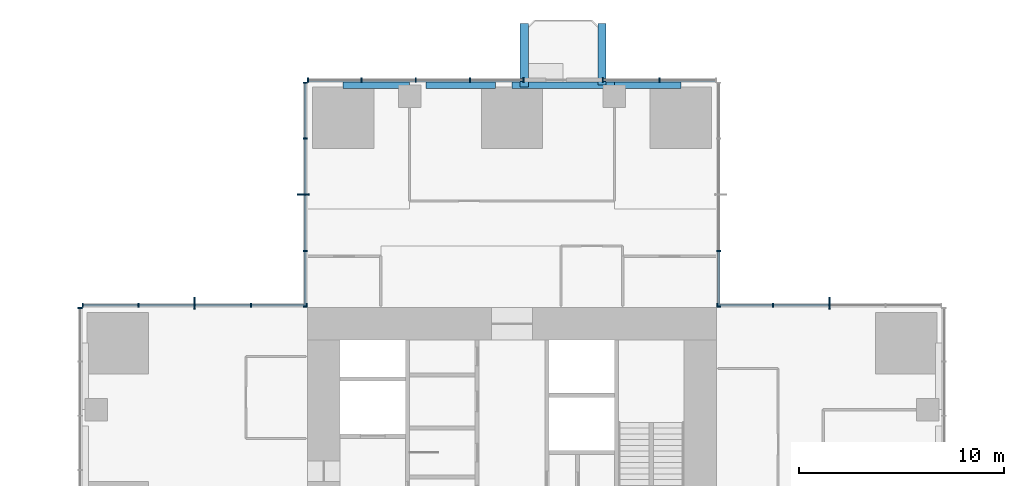
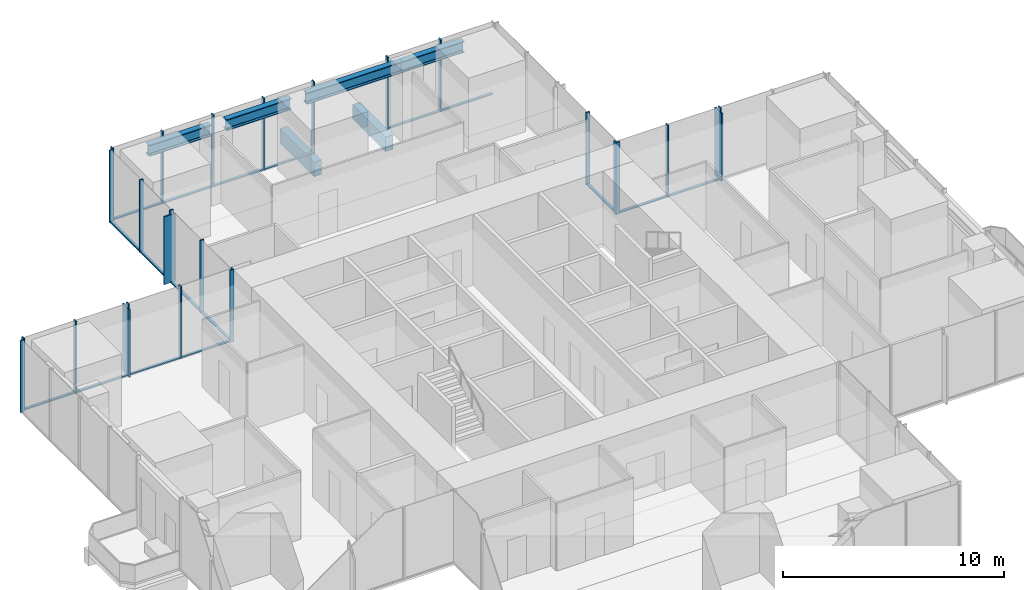
# One storey, part 5 of 13: 43 members, 6 beams, 7 elements without a shape of their own.
"""IFC4 building model written with IfcOpenShell, lengths in metres."""

from ifc_helpers import new_model, si_unit, direction, frame, origin, origin_2d, place, context, subcontext, project, spatial, rectangle, i_section, extrude, material, material_profile, profile_set, type_object, element, aggregate, save


model = new_model("IFC4")

# Units and contexts
model_context = context("Model", 3, precision=1e-05, world=origin(), true_north=direction((0.0, 1.0)))
body_context = subcontext(model_context, "Body", "Model", "MODEL_VIEW")
ifc_project = project(units=[si_unit("LENGTHUNIT", "METRE"), si_unit("AREAUNIT", "SQUARE_METRE"), si_unit("VOLUMEUNIT", "CUBIC_METRE"), si_unit("PLANEANGLEUNIT", "RADIAN"), si_unit("MASSUNIT", "GRAM", prefix="KILO")], contexts=[model_context])

# Site, building, storey
site_placement = place(None, origin())
site = spatial("IfcSite", under=ifc_project, at=site_placement, CompositionType="ELEMENT")
building_placement = place(site_placement, origin())
building = spatial("IfcBuilding", under=site, at=building_placement, Name="Svetlomir Tower", CompositionType="ELEMENT")
storey_placement = place(building_placement, frame((0.0, 0.0, 136.5)))
storey = spatial("IfcBuildingStorey", under=building, at=storey_placement, Name="L32", CompositionType="ELEMENT", Elevation=136.5)

# Beams
ifc_material_1 = material(Name="Concrete C60/75", Category="concrete")
ifc_material_profile_1 = material_profile(ifc_material_1, rectangle(XDim=0.39990234375, YDim=0.800048828125, at=origin_2d()), Name="RC 400x800")
ifc_profile_set_1 = profile_set([ifc_material_profile_1], Name="Concrete C60/75")
beam_type_1 = type_object("IfcBeamType", Name="BALCONY RIB RC 400x800", PredefinedType="BEAM", material=ifc_profile_set_1)
beam_1_placement = place(storey_placement, frame((21.60009765625, 41.75, -0.64990234375), z_axis=(0.0, 1.0, 0.0), x_axis=(-1.0, 0.0, 0.0)))
element("IfcBeam", 1, at=beam_1_placement, inside=storey, type_object=beam_type_1, Name="Balcony rib N 1 L32", PredefinedType="BEAM", context=body_context, shape_type="SweptSolid", body=[
    extrude(rectangle(XDim=0.39990234375, YDim=0.800048828125, at=origin_2d()), origin(), (0.0, 0.0, 1.0), 3.10009765625),
])
beam_2_placement = place(storey_placement, frame((25.39990234375, 41.85009765625, -0.64990234375), z_axis=(0.0, 1.0, 0.0), x_axis=(-1.0, 0.0, 0.0)))
element("IfcBeam", 2, at=beam_2_placement, inside=storey, type_object=beam_type_1, Name="Balcony rib N 2 L32", PredefinedType="BEAM", context=body_context, shape_type="SweptSolid", body=[
    extrude(rectangle(XDim=0.39990234375, YDim=0.800048828125, at=origin_2d()), origin(), (0.0, 0.0, 1.0), 3.0),
])

# Curtain wall, member
ifc_material_2 = material(Name="Bronze anodised aluminium curtain wall", Category="aluminium")
curtain_wall_type = type_object("IfcCurtainWallType", Name="CURTAIN WALL CW1 TOWER OFFICE", PredefinedType="NOTDEFINED", material=ifc_material_2)
curtain_wall_1_placement = place(storey_placement, origin())
curtain_wall_1 = element("IfcCurtainWall", 3, at=curtain_wall_1_placement, inside=storey, type_object=curtain_wall_type, Name="Curtain wall CW1 L32", PredefinedType="NOTDEFINED")
ifc_material_3 = material(Name="Bronze anodised aluminium", Category="aluminium")
ifc_material_profile_2 = material_profile(ifc_material_3, rectangle(XDim=0.080078125, YDim=0.60009765625, at=origin_2d()), Name="FIN 80x600")
ifc_profile_set_2 = profile_set([ifc_material_profile_2], Name="Bronze anodised aluminium 6063-T6")
member_type_1 = type_object("IfcMemberType", Name="BRONZE FIN 80x600", PredefinedType="USERDEFINED", material=ifc_profile_set_2)
member_1_placement = place(storey_placement, frame((36.5, 31.199951171875, 0.0), z_axis=(0.0, 0.0, 1.0), x_axis=(1.0, 0.0, 0.0)))
member_1 = element("IfcMember", 4, at=member_1_placement, type_object=member_type_1, Name="Bronze fin L32", ObjectType="FIN", PredefinedType="USERDEFINED", context=body_context, shape_type="SweptSolid", body=[
    extrude(rectangle(XDim=0.080078125, YDim=0.60009765625, at=origin_2d()), origin(), (0.0, 0.0, 1.0), 3.75),
])

curtain_wall_2_placement = place(storey_placement, origin())
curtain_wall_2 = element("IfcCurtainWall", 5, at=curtain_wall_2_placement, inside=storey, type_object=curtain_wall_type, Name="Curtain wall CW1 L32", PredefinedType="NOTDEFINED")
member_2_placement = place(storey_placement, frame((10.800048828125, 36.5, 0.0), z_axis=(0.0, 0.0, 1.0), x_axis=(0.0, 1.0, 0.0)))
member_2 = element("IfcMember", 6, at=member_2_placement, type_object=member_type_1, Name="Bronze fin L32", ObjectType="FIN", PredefinedType="USERDEFINED", context=body_context, shape_type="SweptSolid", body=[
    extrude(rectangle(XDim=0.080078125, YDim=0.60009765625, at=origin_2d()), origin(), (0.0, 0.0, 1.0), 3.75),
])

curtain_wall_3_placement = place(storey_placement, origin())
curtain_wall_3 = element("IfcCurtainWall", 7, at=curtain_wall_3_placement, inside=storey, type_object=curtain_wall_type, Name="Curtain wall CW1 L32", PredefinedType="NOTDEFINED")
member_3_placement = place(storey_placement, frame((5.5, 31.199951171875, 0.0), z_axis=(0.0, 0.0, 1.0), x_axis=(1.0, 0.0, 0.0)))
member_3 = element("IfcMember", 8, at=member_3_placement, type_object=member_type_1, Name="Bronze fin L32", ObjectType="FIN", PredefinedType="USERDEFINED", context=body_context, shape_type="SweptSolid", body=[
    extrude(rectangle(XDim=0.080078125, YDim=0.60009765625, at=origin_2d()), origin(), (0.0, 0.0, 1.0), 3.75),
])

# Member
ifc_material_4 = material(Name="Bronze anodised aluminium", Category="aluminium")
ifc_material_profile_3 = material_profile(ifc_material_4, rectangle(XDim=0.06494140625, YDim=0.199951171875, at=origin_2d()), Name="AL 65x200")
ifc_profile_set_3 = profile_set([ifc_material_profile_3], Name="Bronze anodised aluminium 6063-T6")
member_type_2 = type_object("IfcMemberType", Name="CW1 MULLION 65x200", PredefinedType="MULLION", material=ifc_profile_set_3)
member_4_placement = place(storey_placement, frame((36.5, 31.10009765625, 0.0), z_axis=(0.0, 0.0, 1.0), x_axis=(-1.0, 0.0, 0.0)))
member_4 = element("IfcMember", 9, at=member_4_placement, type_object=member_type_2, Name="CW1 mullion 3", PredefinedType="MULLION", context=body_context, shape_type="SweptSolid", body=[
    extrude(rectangle(XDim=0.06494140625, YDim=0.199951171875, at=origin_2d()), origin(), (0.0, 0.0, 1.0), 4.0),
])

member_5_placement = place(storey_placement, frame((33.75, 31.10009765625, 0.0), z_axis=(0.0, 0.0, 1.0), x_axis=(-1.0, 0.0, 0.0)))
member_5 = element("IfcMember", 10, at=member_5_placement, type_object=member_type_2, Name="CW1 mullion 4", PredefinedType="MULLION", context=body_context, shape_type="SweptSolid", body=[
    extrude(rectangle(XDim=0.06494140625, YDim=0.199951171875, at=origin_2d()), origin(), (0.0, 0.0, 1.0), 4.0),
])

member_6_placement = place(storey_placement, frame((31.032470703125, 31.10009765625, 0.0), z_axis=(0.0, 0.0, 1.0), x_axis=(-1.0, 0.0, 0.0)))
member_6 = element("IfcMember", 11, at=member_6_placement, type_object=member_type_2, Name="CW1 mullion 5", PredefinedType="MULLION", context=body_context, shape_type="SweptSolid", body=[
    extrude(rectangle(XDim=0.06494140625, YDim=0.199951171875, at=origin_2d()), origin(), (0.0, 0.0, 1.0), 4.0),
])

# Curtain wall, members
curtain_wall_4_placement = place(storey_placement, origin())
curtain_wall_4 = element("IfcCurtainWall", 12, at=curtain_wall_4_placement, inside=storey, type_object=curtain_wall_type, Name="Curtain wall CW1 L32", PredefinedType="NOTDEFINED")
member_7_placement = place(storey_placement, frame((31.10009765625, 31.032470703125, 0.0), z_axis=(0.0, 0.0, 1.0), x_axis=(0.0, 1.0, 0.0)))
member_7 = element("IfcMember", 13, at=member_7_placement, type_object=member_type_2, Name="CW1 mullion 1", PredefinedType="MULLION", context=body_context, shape_type="SweptSolid", body=[
    extrude(rectangle(XDim=0.06494140625, YDim=0.199951171875, at=origin_2d()), origin(), (0.0, 0.0, 1.0), 4.0),
])
member_8_placement = place(storey_placement, frame((31.10009765625, 33.75, 0.0), z_axis=(0.0, 0.0, 1.0), x_axis=(0.0, 1.0, 0.0)))
member_8 = element("IfcMember", 14, at=member_8_placement, type_object=member_type_2, Name="CW1 mullion 2", PredefinedType="MULLION", context=body_context, shape_type="SweptSolid", body=[
    extrude(rectangle(XDim=0.06494140625, YDim=0.199951171875, at=origin_2d()), origin(), (0.0, 0.0, 1.0), 4.0),
])

curtain_wall_5_placement = place(storey_placement, origin())
curtain_wall_5 = element("IfcCurtainWall", 15, at=curtain_wall_5_placement, inside=storey, type_object=curtain_wall_type, Name="Curtain wall CW1 L32", PredefinedType="NOTDEFINED")
member_9_placement = place(storey_placement, frame((28.199951171875, 42.10009765625, 0.0), z_axis=(0.0, 0.0, 1.0), x_axis=(-1.0, 0.0, 0.0)))
member_9 = element("IfcMember", 16, at=member_9_placement, type_object=member_type_2, Name="CW1 mullion 2", PredefinedType="MULLION", context=body_context, shape_type="SweptSolid", body=[
    extrude(rectangle(XDim=0.06494140625, YDim=0.199951171875, at=origin_2d()), origin(), (0.0, 0.0, 1.0), 4.0),
])
member_10_placement = place(storey_placement, frame((25.4326171875, 42.10009765625, 0.0), z_axis=(0.0, 0.0, 1.0), x_axis=(-1.0, 0.0, 0.0)))
member_10 = element("IfcMember", 17, at=member_10_placement, type_object=member_type_2, Name="CW1 mullion 3", PredefinedType="MULLION", context=body_context, shape_type="SweptSolid", body=[
    extrude(rectangle(XDim=0.06494140625, YDim=0.199951171875, at=origin_2d()), origin(), (0.0, 0.0, 1.0), 4.0),
])

curtain_wall_6_placement = place(storey_placement, origin())
curtain_wall_6 = element("IfcCurtainWall", 18, at=curtain_wall_6_placement, inside=storey, type_object=curtain_wall_type, Name="Curtain wall CW1 L32", PredefinedType="NOTDEFINED")
member_11_placement = place(storey_placement, frame((21.5673828125, 42.10009765625, 0.0), z_axis=(0.0, 0.0, 1.0), x_axis=(-1.0, 0.0, 0.0)))
member_11 = element("IfcMember", 19, at=member_11_placement, type_object=member_type_2, Name="CW1 mullion 1", PredefinedType="MULLION", context=body_context, shape_type="SweptSolid", body=[
    extrude(rectangle(XDim=0.06494140625, YDim=0.199951171875, at=origin_2d()), origin(), (0.0, 0.0, 1.0), 4.0),
])
member_12_placement = place(storey_placement, frame((18.949951171875, 42.10009765625, 0.0), z_axis=(0.0, 0.0, 1.0), x_axis=(-1.0, 0.0, 0.0)))
member_12 = element("IfcMember", 20, at=member_12_placement, type_object=member_type_2, Name="CW1 mullion 2", PredefinedType="MULLION", context=body_context, shape_type="SweptSolid", body=[
    extrude(rectangle(XDim=0.06494140625, YDim=0.199951171875, at=origin_2d()), origin(), (0.0, 0.0, 1.0), 4.0),
])
member_13_placement = place(storey_placement, frame((16.300048828125, 42.10009765625, 0.0), z_axis=(0.0, 0.0, 1.0), x_axis=(-1.0, 0.0, 0.0)))
member_13 = element("IfcMember", 21, at=member_13_placement, type_object=member_type_2, Name="CW1 mullion 3", PredefinedType="MULLION", context=body_context, shape_type="SweptSolid", body=[
    extrude(rectangle(XDim=0.06494140625, YDim=0.199951171875, at=origin_2d()), origin(), (0.0, 0.0, 1.0), 4.0),
])
member_14_placement = place(storey_placement, frame((13.64990234375, 42.10009765625, 0.0), z_axis=(0.0, 0.0, 1.0), x_axis=(-1.0, 0.0, 0.0)))
member_14 = element("IfcMember", 22, at=member_14_placement, type_object=member_type_2, Name="CW1 mullion 4", PredefinedType="MULLION", context=body_context, shape_type="SweptSolid", body=[
    extrude(rectangle(XDim=0.06494140625, YDim=0.199951171875, at=origin_2d()), origin(), (0.0, 0.0, 1.0), 4.0),
])
member_15_placement = place(storey_placement, frame((11.032470703125, 42.10009765625, 0.0), z_axis=(0.0, 0.0, 1.0), x_axis=(-1.0, 0.0, 0.0)))
member_15 = element("IfcMember", 23, at=member_15_placement, type_object=member_type_2, Name="CW1 mullion 5", PredefinedType="MULLION", context=body_context, shape_type="SweptSolid", body=[
    extrude(rectangle(XDim=0.06494140625, YDim=0.199951171875, at=origin_2d()), origin(), (0.0, 0.0, 1.0), 4.0),
])

# Member
member_16_placement = place(storey_placement, frame((10.89990234375, 41.967529296875, 0.0), z_axis=(0.0, 0.0, 1.0), x_axis=(0.0, -1.0, 0.0)))
member_16 = element("IfcMember", 24, at=member_16_placement, type_object=member_type_2, Name="CW1 mullion 1", PredefinedType="MULLION", context=body_context, shape_type="SweptSolid", body=[
    extrude(rectangle(XDim=0.06494140625, YDim=0.199951171875, at=origin_2d()), origin(), (0.0, 0.0, 1.0), 4.0),
])

member_17_placement = place(storey_placement, frame((10.89990234375, 39.25, 0.0), z_axis=(0.0, 0.0, 1.0), x_axis=(0.0, -1.0, 0.0)))
member_17 = element("IfcMember", 25, at=member_17_placement, type_object=member_type_2, Name="CW1 mullion 2", PredefinedType="MULLION", context=body_context, shape_type="SweptSolid", body=[
    extrude(rectangle(XDim=0.06494140625, YDim=0.199951171875, at=origin_2d()), origin(), (0.0, 0.0, 1.0), 4.0),
])

member_18_placement = place(storey_placement, frame((10.89990234375, 36.5, 0.0), z_axis=(0.0, 0.0, 1.0), x_axis=(0.0, -1.0, 0.0)))
member_18 = element("IfcMember", 26, at=member_18_placement, type_object=member_type_2, Name="CW1 mullion 3", PredefinedType="MULLION", context=body_context, shape_type="SweptSolid", body=[
    extrude(rectangle(XDim=0.06494140625, YDim=0.199951171875, at=origin_2d()), origin(), (0.0, 0.0, 1.0), 4.0),
])

member_19_placement = place(storey_placement, frame((10.89990234375, 33.75, 0.0), z_axis=(0.0, 0.0, 1.0), x_axis=(0.0, -1.0, 0.0)))
member_19 = element("IfcMember", 27, at=member_19_placement, type_object=member_type_2, Name="CW1 mullion 4", PredefinedType="MULLION", context=body_context, shape_type="SweptSolid", body=[
    extrude(rectangle(XDim=0.06494140625, YDim=0.199951171875, at=origin_2d()), origin(), (0.0, 0.0, 1.0), 4.0),
])

member_20_placement = place(storey_placement, frame((10.89990234375, 31.032470703125, 0.0), z_axis=(0.0, 0.0, 1.0), x_axis=(0.0, -1.0, 0.0)))
member_20 = element("IfcMember", 28, at=member_20_placement, type_object=member_type_2, Name="CW1 mullion 5", PredefinedType="MULLION", context=body_context, shape_type="SweptSolid", body=[
    extrude(rectangle(XDim=0.06494140625, YDim=0.199951171875, at=origin_2d()), origin(), (0.0, 0.0, 1.0), 4.0),
])

member_21_placement = place(storey_placement, frame((10.967529296875, 31.10009765625, 0.0), z_axis=(0.0, 0.0, 1.0), x_axis=(-1.0, 0.0, 0.0)))
member_21 = element("IfcMember", 29, at=member_21_placement, type_object=member_type_2, Name="CW1 mullion 1", PredefinedType="MULLION", context=body_context, shape_type="SweptSolid", body=[
    extrude(rectangle(XDim=0.06494140625, YDim=0.199951171875, at=origin_2d()), origin(), (0.0, 0.0, 1.0), 4.0),
])

member_22_placement = place(storey_placement, frame((8.25, 31.10009765625, 0.0), z_axis=(0.0, 0.0, 1.0), x_axis=(-1.0, 0.0, 0.0)))
member_22 = element("IfcMember", 30, at=member_22_placement, type_object=member_type_2, Name="CW1 mullion 2", PredefinedType="MULLION", context=body_context, shape_type="SweptSolid", body=[
    extrude(rectangle(XDim=0.06494140625, YDim=0.199951171875, at=origin_2d()), origin(), (0.0, 0.0, 1.0), 4.0),
])

member_23_placement = place(storey_placement, frame((5.5, 31.10009765625, 0.0), z_axis=(0.0, 0.0, 1.0), x_axis=(-1.0, 0.0, 0.0)))
member_23 = element("IfcMember", 31, at=member_23_placement, type_object=member_type_2, Name="CW1 mullion 3", PredefinedType="MULLION", context=body_context, shape_type="SweptSolid", body=[
    extrude(rectangle(XDim=0.06494140625, YDim=0.199951171875, at=origin_2d()), origin(), (0.0, 0.0, 1.0), 4.0),
])

member_24_placement = place(storey_placement, frame((2.75, 31.10009765625, 0.0), z_axis=(0.0, 0.0, 1.0), x_axis=(-1.0, 0.0, 0.0)))
member_24 = element("IfcMember", 32, at=member_24_placement, type_object=member_type_2, Name="CW1 mullion 4", PredefinedType="MULLION", context=body_context, shape_type="SweptSolid", body=[
    extrude(rectangle(XDim=0.06494140625, YDim=0.199951171875, at=origin_2d()), origin(), (0.0, 0.0, 1.0), 4.0),
])

member_25_placement = place(storey_placement, frame((0.032470703125, 31.10009765625, 0.0), z_axis=(0.0, 0.0, 1.0), x_axis=(-1.0, 0.0, 0.0)))
member_25 = element("IfcMember", 33, at=member_25_placement, type_object=member_type_2, Name="CW1 mullion 5", PredefinedType="MULLION", context=body_context, shape_type="SweptSolid", body=[
    extrude(rectangle(XDim=0.06494140625, YDim=0.199951171875, at=origin_2d()), origin(), (0.0, 0.0, 1.0), 4.0),
])

# Curtain wall, member
curtain_wall_7_placement = place(storey_placement, origin())
curtain_wall_7 = element("IfcCurtainWall", 34, at=curtain_wall_7_placement, inside=storey, type_object=curtain_wall_type, Name="Curtain wall CW1 L32", PredefinedType="NOTDEFINED")
member_26_placement = place(storey_placement, frame((-0.10009765625, 30.967529296875, 0.0), z_axis=(0.0, 0.0, 1.0), x_axis=(0.0, -1.0, 0.0)))
member_26 = element("IfcMember", 35, at=member_26_placement, type_object=member_type_2, Name="CW1 mullion 1", PredefinedType="MULLION", context=body_context, shape_type="SweptSolid", body=[
    extrude(rectangle(XDim=0.06494140625, YDim=0.199951171875, at=origin_2d()), origin(), (0.0, 0.0, 1.0), 4.0),
])
aggregate(curtain_wall_7, [member_26])

# Member
ifc_material_5 = material(Name="Bronze anodised aluminium", Category="aluminium")
ifc_material_profile_4 = material_profile(ifc_material_5, rectangle(XDim=0.139892578125, YDim=0.06494140625, at=origin_2d()), Name="AL 140x65")
ifc_profile_set_4 = profile_set([ifc_material_profile_4], Name="Bronze anodised aluminium 6063-T6")
member_type_3 = type_object("IfcMemberType", Name="CW1 TRANSOM 65x140", PredefinedType="USERDEFINED", material=ifc_profile_set_4)
member_27_placement = place(storey_placement, frame((36.467529296875, 31.10009765625, 0.032470703125), z_axis=(-1.0, 0.0, 0.0), x_axis=(0.0, -1.0, 0.0)))
member_27 = element("IfcMember", 36, at=member_27_placement, type_object=member_type_3, Name="CW1 transom 3.1", ObjectType="TRANSOM", PredefinedType="USERDEFINED", context=body_context, shape_type="SweptSolid", body=[
    extrude(rectangle(XDim=0.139892578125, YDim=0.06494140625, at=origin_2d()), origin(), (0.0, 0.0, 1.0), 2.68505859375),
])

member_28_placement = place(storey_placement, frame((33.717529296875, 31.10009765625, 0.032470703125), z_axis=(-1.0, 0.0, 0.0), x_axis=(0.0, -1.0, 0.0)))
member_28 = element("IfcMember", 37, at=member_28_placement, type_object=member_type_3, Name="CW1 transom 4.1", ObjectType="TRANSOM", PredefinedType="USERDEFINED", context=body_context, shape_type="SweptSolid", body=[
    extrude(rectangle(XDim=0.139892578125, YDim=0.06494140625, at=origin_2d()), origin(), (0.0, 0.0, 1.0), 2.652587890625),
])

aggregate(curtain_wall_1, [member_4, member_5, member_6, member_27, member_28, member_1])

member_29_placement = place(storey_placement, frame((31.10009765625, 31.06494140625, 0.032470703125), z_axis=(0.0, 1.0, 0.0), x_axis=(-1.0, 0.0, 0.0)))
member_29 = element("IfcMember", 38, at=member_29_placement, type_object=member_type_3, Name="CW1 transom 1.1", ObjectType="TRANSOM", PredefinedType="USERDEFINED", context=body_context, shape_type="SweptSolid", body=[
    extrude(rectangle(XDim=0.139892578125, YDim=0.06494140625, at=origin_2d()), origin(), (0.0, 0.0, 1.0), 2.652587890625),
])

aggregate(curtain_wall_4, [member_7, member_8, member_29])

member_30_placement = place(storey_placement, frame((30.93505859375, 42.10009765625, 0.032470703125), z_axis=(-1.0, 0.0, 0.0), x_axis=(0.0, -1.0, 0.0)))
member_30 = element("IfcMember", 39, at=member_30_placement, type_object=member_type_3, Name="CW1 transom 1.1", ObjectType="TRANSOM", PredefinedType="USERDEFINED", context=body_context, shape_type="SweptSolid", body=[
    extrude(rectangle(XDim=0.139892578125, YDim=0.06494140625, at=origin_2d()), origin(), (0.0, 0.0, 1.0), 2.70263671875),
])

member_31_placement = place(storey_placement, frame((28.16748046875, 42.10009765625, 0.032470703125), z_axis=(-1.0, 0.0, 0.0), x_axis=(0.0, -1.0, 0.0)))
member_31 = element("IfcMember", 40, at=member_31_placement, type_object=member_type_3, Name="CW1 transom 2.1", ObjectType="TRANSOM", PredefinedType="USERDEFINED", context=body_context, shape_type="SweptSolid", body=[
    extrude(rectangle(XDim=0.139892578125, YDim=0.06494140625, at=origin_2d()), origin(), (0.0, 0.0, 1.0), 2.702392578125),
])

aggregate(curtain_wall_5, [member_9, member_10, member_30, member_31])

member_32_placement = place(storey_placement, frame((21.534912109375, 42.10009765625, 0.032470703125), z_axis=(-1.0, 0.0, 0.0), x_axis=(0.0, -1.0, 0.0)))
member_32 = element("IfcMember", 41, at=member_32_placement, type_object=member_type_3, Name="CW1 transom 1.1", ObjectType="TRANSOM", PredefinedType="USERDEFINED", context=body_context, shape_type="SweptSolid", body=[
    extrude(rectangle(XDim=0.139892578125, YDim=0.06494140625, at=origin_2d()), origin(), (0.0, 0.0, 1.0), 2.552490234375),
])

member_33_placement = place(storey_placement, frame((18.91748046875, 42.10009765625, 0.032470703125), z_axis=(-1.0, 0.0, 0.0), x_axis=(0.0, -1.0, 0.0)))
member_33 = element("IfcMember", 42, at=member_33_placement, type_object=member_type_3, Name="CW1 transom 2.1", ObjectType="TRANSOM", PredefinedType="USERDEFINED", context=body_context, shape_type="SweptSolid", body=[
    extrude(rectangle(XDim=0.139892578125, YDim=0.06494140625, at=origin_2d()), origin(), (0.0, 0.0, 1.0), 2.5849609375),
])

member_34_placement = place(storey_placement, frame((16.267578125, 42.10009765625, 0.032470703125), z_axis=(-1.0, 0.0, 0.0), x_axis=(0.0, -1.0, 0.0)))
member_34 = element("IfcMember", 43, at=member_34_placement, type_object=member_type_3, Name="CW1 transom 3.1", ObjectType="TRANSOM", PredefinedType="USERDEFINED", context=body_context, shape_type="SweptSolid", body=[
    extrude(rectangle(XDim=0.139892578125, YDim=0.06494140625, at=origin_2d()), origin(), (0.0, 0.0, 1.0), 2.5849609375),
])

member_35_placement = place(storey_placement, frame((13.617431640625, 42.10009765625, 0.032470703125), z_axis=(-1.0, 0.0, 0.0), x_axis=(0.0, -1.0, 0.0)))
member_35 = element("IfcMember", 44, at=member_35_placement, type_object=member_type_3, Name="CW1 transom 4.1", ObjectType="TRANSOM", PredefinedType="USERDEFINED", context=body_context, shape_type="SweptSolid", body=[
    extrude(rectangle(XDim=0.139892578125, YDim=0.06494140625, at=origin_2d()), origin(), (0.0, 0.0, 1.0), 2.552490234375),
])

aggregate(curtain_wall_6, [member_11, member_12, member_13, member_14, member_15, member_32, member_33, member_34, member_35])

member_36_placement = place(storey_placement, frame((10.89990234375, 41.93505859375, 0.032470703125), z_axis=(0.0, -1.0, 0.0), x_axis=(1.0, 0.0, 0.0)))
member_36 = element("IfcMember", 45, at=member_36_placement, type_object=member_type_3, Name="CW1 transom 1.1", ObjectType="TRANSOM", PredefinedType="USERDEFINED", context=body_context, shape_type="SweptSolid", body=[
    extrude(rectangle(XDim=0.139892578125, YDim=0.06494140625, at=origin_2d()), origin(), (0.0, 0.0, 1.0), 2.652587890625),
])

member_37_placement = place(storey_placement, frame((10.89990234375, 39.217529296875, 0.032470703125), z_axis=(0.0, -1.0, 0.0), x_axis=(1.0, 0.0, 0.0)))
member_37 = element("IfcMember", 46, at=member_37_placement, type_object=member_type_3, Name="CW1 transom 2.1", ObjectType="TRANSOM", PredefinedType="USERDEFINED", context=body_context, shape_type="SweptSolid", body=[
    extrude(rectangle(XDim=0.139892578125, YDim=0.06494140625, at=origin_2d()), origin(), (0.0, 0.0, 1.0), 2.68505859375),
])

member_38_placement = place(storey_placement, frame((10.89990234375, 36.467529296875, 0.032470703125), z_axis=(0.0, -1.0, 0.0), x_axis=(1.0, 0.0, 0.0)))
member_38 = element("IfcMember", 47, at=member_38_placement, type_object=member_type_3, Name="CW1 transom 3.1", ObjectType="TRANSOM", PredefinedType="USERDEFINED", context=body_context, shape_type="SweptSolid", body=[
    extrude(rectangle(XDim=0.139892578125, YDim=0.06494140625, at=origin_2d()), origin(), (0.0, 0.0, 1.0), 2.68505859375),
])

member_39_placement = place(storey_placement, frame((10.89990234375, 33.717529296875, 0.032470703125), z_axis=(0.0, -1.0, 0.0), x_axis=(1.0, 0.0, 0.0)))
member_39 = element("IfcMember", 48, at=member_39_placement, type_object=member_type_3, Name="CW1 transom 4.1", ObjectType="TRANSOM", PredefinedType="USERDEFINED", context=body_context, shape_type="SweptSolid", body=[
    extrude(rectangle(XDim=0.139892578125, YDim=0.06494140625, at=origin_2d()), origin(), (0.0, 0.0, 1.0), 2.652587890625),
])

aggregate(curtain_wall_2, [member_16, member_17, member_18, member_19, member_20, member_36, member_37, member_38, member_39, member_2])

member_40_placement = place(storey_placement, frame((10.93505859375, 31.10009765625, 0.032470703125), z_axis=(-1.0, 0.0, 0.0), x_axis=(0.0, -1.0, 0.0)))
member_40 = element("IfcMember", 49, at=member_40_placement, type_object=member_type_3, Name="CW1 transom 1.1", ObjectType="TRANSOM", PredefinedType="USERDEFINED", context=body_context, shape_type="SweptSolid", body=[
    extrude(rectangle(XDim=0.139892578125, YDim=0.06494140625, at=origin_2d()), origin(), (0.0, 0.0, 1.0), 2.652587890625),
])

member_41_placement = place(storey_placement, frame((8.217529296875, 31.10009765625, 0.032470703125), z_axis=(-1.0, 0.0, 0.0), x_axis=(0.0, -1.0, 0.0)))
member_41 = element("IfcMember", 50, at=member_41_placement, type_object=member_type_3, Name="CW1 transom 2.1", ObjectType="TRANSOM", PredefinedType="USERDEFINED", context=body_context, shape_type="SweptSolid", body=[
    extrude(rectangle(XDim=0.139892578125, YDim=0.06494140625, at=origin_2d()), origin(), (0.0, 0.0, 1.0), 2.68505859375),
])

member_42_placement = place(storey_placement, frame((5.467529296875, 31.10009765625, 0.032470703125), z_axis=(-1.0, 0.0, 0.0), x_axis=(0.0, -1.0, 0.0)))
member_42 = element("IfcMember", 51, at=member_42_placement, type_object=member_type_3, Name="CW1 transom 3.1", ObjectType="TRANSOM", PredefinedType="USERDEFINED", context=body_context, shape_type="SweptSolid", body=[
    extrude(rectangle(XDim=0.139892578125, YDim=0.06494140625, at=origin_2d()), origin(), (0.0, 0.0, 1.0), 2.68505859375),
])

member_43_placement = place(storey_placement, frame((2.717529296875, 31.10009765625, 0.032470703125), z_axis=(-1.0, 0.0, 0.0), x_axis=(0.0, -1.0, 0.0)))
member_43 = element("IfcMember", 52, at=member_43_placement, type_object=member_type_3, Name="CW1 transom 4.1", ObjectType="TRANSOM", PredefinedType="USERDEFINED", context=body_context, shape_type="SweptSolid", body=[
    extrude(rectangle(XDim=0.139892578125, YDim=0.06494140625, at=origin_2d()), origin(), (0.0, 0.0, 1.0), 2.652587890625),
])

aggregate(curtain_wall_3, [member_21, member_22, member_23, member_24, member_25, member_40, member_41, member_42, member_43, member_3])

# Beams
ifc_material_6 = material(Name="Steel S355", Category="steel")
ifc_material_profile_5 = material_profile(ifc_material_6, i_section(OverallWidth=0.304931640625, OverallDepth=0.6201171875, WebThickness=0.02099609375, FlangeThickness=0.0400390625, FilletRadius=0.027099609375, at=origin_2d()), Name="HEM 600")
ifc_profile_set_5 = profile_set([ifc_material_profile_5], Name="Steel S355")
beam_type_2 = type_object("IfcBeamType", Name="EDGE BEAM HEM 600", PredefinedType="SPANDREL", material=ifc_profile_set_5)
beam_3_placement = place(storey_placement, frame((12.75, 41.847412109375, 3.43994140625), z_axis=(1.0, 0.0, 0.0), x_axis=(0.0, 1.0, 0.0)))
element("IfcBeam", 53, at=beam_3_placement, inside=storey, type_object=beam_type_2, Name="Edge beam 11/42 to 16/42 under L33", PredefinedType="SPANDREL", context=body_context, shape_type="SweptSolid", body=[
    extrude(i_section(OverallWidth=0.304931640625, OverallDepth=0.6201171875, WebThickness=0.02099609375, FlangeThickness=0.0400390625, FilletRadius=0.027099609375, at=origin_2d()), origin(), (0.0, 0.0, 1.0), 3.25),
])
beam_4_placement = place(storey_placement, frame((16.800048828125, 41.847412109375, 3.43994140625), z_axis=(1.0, 0.0, 0.0), x_axis=(0.0, 1.0, 0.0)))
element("IfcBeam", 54, at=beam_4_placement, inside=storey, type_object=beam_type_2, Name="Edge beam 16/42 to 21/42 under L33", PredefinedType="SPANDREL", context=body_context, shape_type="SweptSolid", body=[
    extrude(i_section(OverallWidth=0.304931640625, OverallDepth=0.6201171875, WebThickness=0.02099609375, FlangeThickness=0.0400390625, FilletRadius=0.027099609375, at=origin_2d()), origin(), (0.0, 0.0, 1.0), 3.39990234375),
])
beam_5_placement = place(storey_placement, frame((21.0, 41.847412109375, 3.43994140625), z_axis=(1.0, 0.0, 0.0), x_axis=(0.0, 1.0, 0.0)))
element("IfcBeam", 55, at=beam_5_placement, inside=storey, type_object=beam_type_2, Name="Edge beam 21/42 to 26/42 under L33", PredefinedType="SPANDREL", context=body_context, shape_type="SweptSolid", body=[
    extrude(i_section(OverallWidth=0.304931640625, OverallDepth=0.6201171875, WebThickness=0.02099609375, FlangeThickness=0.0400390625, FilletRadius=0.027099609375, at=origin_2d()), origin(), (0.0, 0.0, 1.0), 5.0),
])
beam_6_placement = place(storey_placement, frame((26.0, 41.847412109375, 3.43994140625), z_axis=(1.0, 0.0, 0.0), x_axis=(0.0, 1.0, 0.0)))
element("IfcBeam", 56, at=beam_6_placement, inside=storey, type_object=beam_type_2, Name="Edge beam 26/42 to 31/42 under L33", PredefinedType="SPANDREL", context=body_context, shape_type="SweptSolid", body=[
    extrude(i_section(OverallWidth=0.304931640625, OverallDepth=0.6201171875, WebThickness=0.02099609375, FlangeThickness=0.0400390625, FilletRadius=0.027099609375, at=origin_2d()), origin(), (0.0, 0.0, 1.0), 3.25),
])

save(model, "model.ifc")
